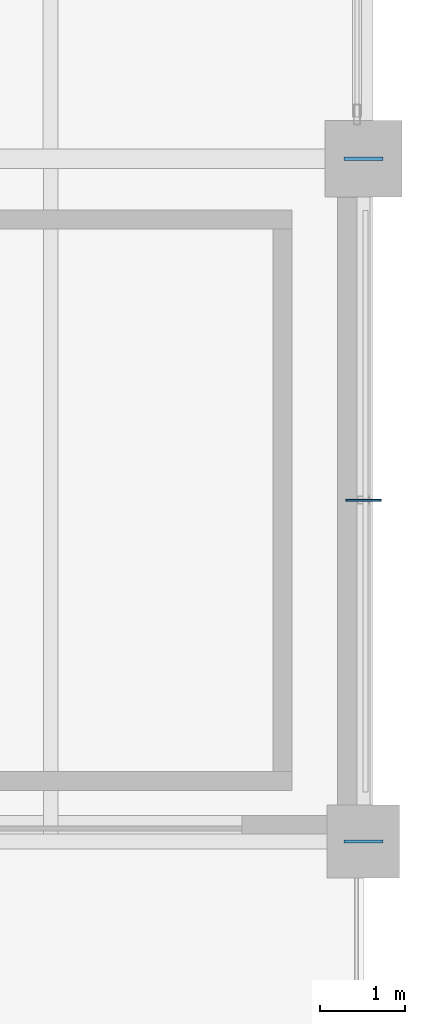
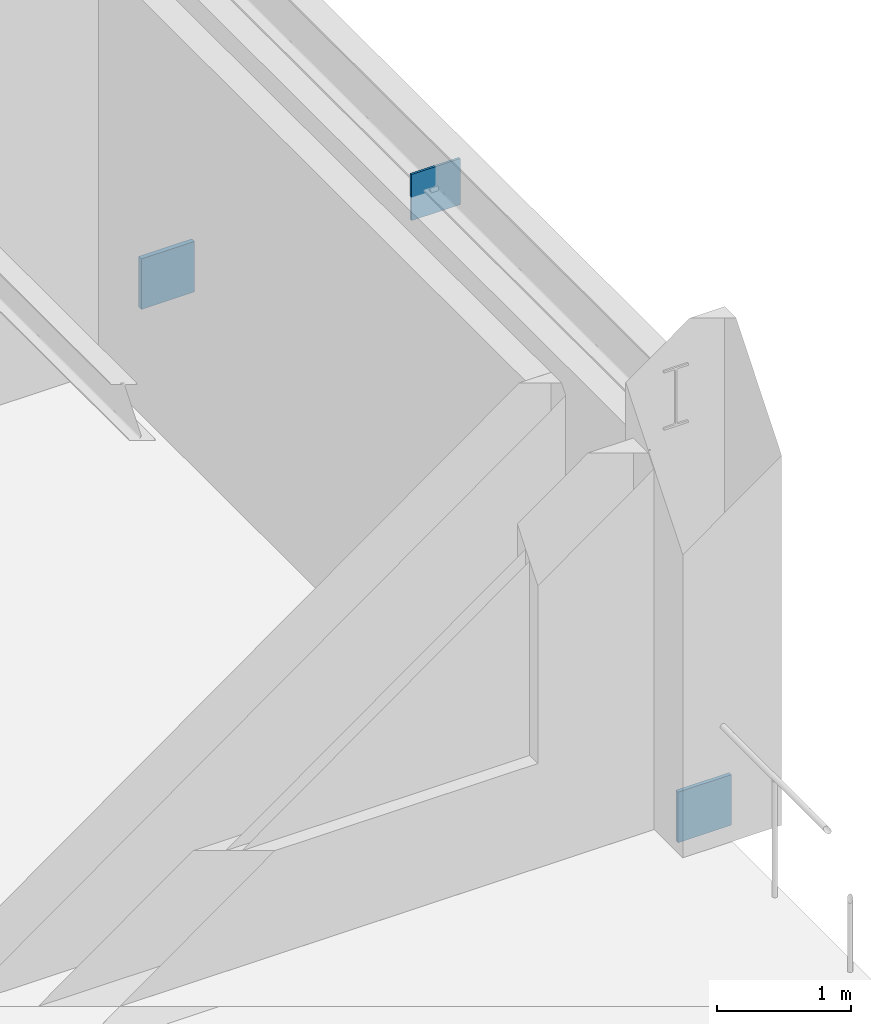
# One storey, part 46 of 56: 3 plates.
"""IFC4 building model written with IfcOpenShell, lengths in metres."""

from ifc_helpers import new_model, si_unit, direction, frame, origin, origin_2d, place, context, subcontext, project, spatial, rectangle, extrude, material, layer, layer_set, type_object, element, save


model = new_model("IFC4")

# Units and contexts
model_context = context("Model", 3, precision=1e-05, world=origin(), true_north=direction((0.0, 1.0)))
body_context = subcontext(model_context, "Body", "Model", "MODEL_VIEW")
ifc_project = project(units=[si_unit("LENGTHUNIT", "METRE"), si_unit("AREAUNIT", "SQUARE_METRE"), si_unit("VOLUMEUNIT", "CUBIC_METRE"), si_unit("PLANEANGLEUNIT", "RADIAN"), si_unit("MASSUNIT", "GRAM", prefix="KILO"), si_unit("THERMODYNAMICTEMPERATUREUNIT", "KELVIN"), si_unit("POWERUNIT", "WATT")], contexts=[model_context])

# Site, building, storey
site_placement = place(None, origin())
site = spatial("IfcSite", under=ifc_project, at=site_placement, CompositionType="ELEMENT")
building_placement = place(site_placement, origin())
building = spatial("IfcBuilding", under=site, at=building_placement, Name="Tepalcoro Natatorium and Aquatics Centre", CompositionType="ELEMENT")
storey_placement = place(building_placement, frame((0.0, 0.0, 14.800048828125)))
storey = spatial("IfcBuildingStorey", under=building, at=storey_placement, Name="L03", CompositionType="ELEMENT", Elevation=14.800048828125)

# Plates
ifc_material = material(Name="Plate Steel ASTM A572 Grade 50 (Fy 345 MPa)", Category="steel")
ifc_layer_1 = layer(ifc_material, 0.031982421875)
ifc_layer_set_1 = layer_set([ifc_layer_1], Name="Plate Steel ASTM A572 Grade 50 (Fy 345 MPa)")
plate_type_1 = type_object("IfcPlateType", Name="PL_CAP_32", PredefinedType="USERDEFINED", material=ifc_layer_set_1)
plate_1_placement = place(storey_placement, frame((176.0, 94.0, -0.179931640625), z_axis=(0.0, 0.0, 1.0), x_axis=(1.0, 0.0, 0.0)))
element("IfcPlate", 1, at=plate_1_placement, inside=storey, type_object=plate_type_1, Name="Truss Node Cap Plate BRB_12", ObjectType="CAP PLATE", PredefinedType="USERDEFINED", context=body_context, shape_type="SweptSolid", body=[
    extrude(rectangle(XDim=0.4599609375, YDim=0.031982421875, at=origin_2d()), origin(), (0.0, 0.0, 1.0), 0.4599609375),
])
ifc_layer_2 = layer(ifc_material, 0.02001953125)
ifc_layer_set_2 = layer_set([ifc_layer_2], Name="Plate Steel ASTM A572 Grade 50 (Fy 345 MPa)")
plate_type_2 = type_object("IfcPlateType", Name="PL_GUSSET_20", PredefinedType="USERDEFINED", material=ifc_layer_set_2)
plate_2_placement = place(storey_placement, frame((176.0, 98.0, 3.0400390625), z_axis=(0.0, 0.0, 1.0), x_axis=(1.0, 0.0, 0.0)))
element("IfcPlate", 2, at=plate_2_placement, inside=storey, type_object=plate_type_2, Name="V5 L03 Chevron Gusset Plate GP1", ObjectType="GUSSET PLATE", PredefinedType="USERDEFINED", context=body_context, shape_type="SweptSolid", body=[
    extrude(rectangle(XDim=0.419921875, YDim=0.02001953125, at=origin_2d()), origin(), (0.0, 0.0, 1.0), 0.419921875),
])
ifc_layer_3 = layer(ifc_material, 0.0400390625)
ifc_layer_set_3 = layer_set([ifc_layer_3], Name="Plate Steel ASTM A572 Grade 50 (Fy 345 MPa)")
plate_type_3 = type_object("IfcPlateType", Name="PL_GUSSET_40", PredefinedType="USERDEFINED", material=ifc_layer_set_3)
plate_3_placement = place(storey_placement, frame((176.0, 102.0, -0.179931640625), z_axis=(0.0, 0.0, 1.0), x_axis=(1.0, 0.0, 0.0)))
element("IfcPlate", 3, at=plate_3_placement, inside=storey, type_object=plate_type_3, Name="Truss Node Gusset Plate BRB_12", ObjectType="GUSSET PLATE", PredefinedType="USERDEFINED", context=body_context, shape_type="SweptSolid", body=[
    extrude(rectangle(XDim=0.4599609375, YDim=0.0400390625, at=origin_2d()), origin(), (0.0, 0.0, 1.0), 0.4599609375),
])

save(model, "model.ifc")
